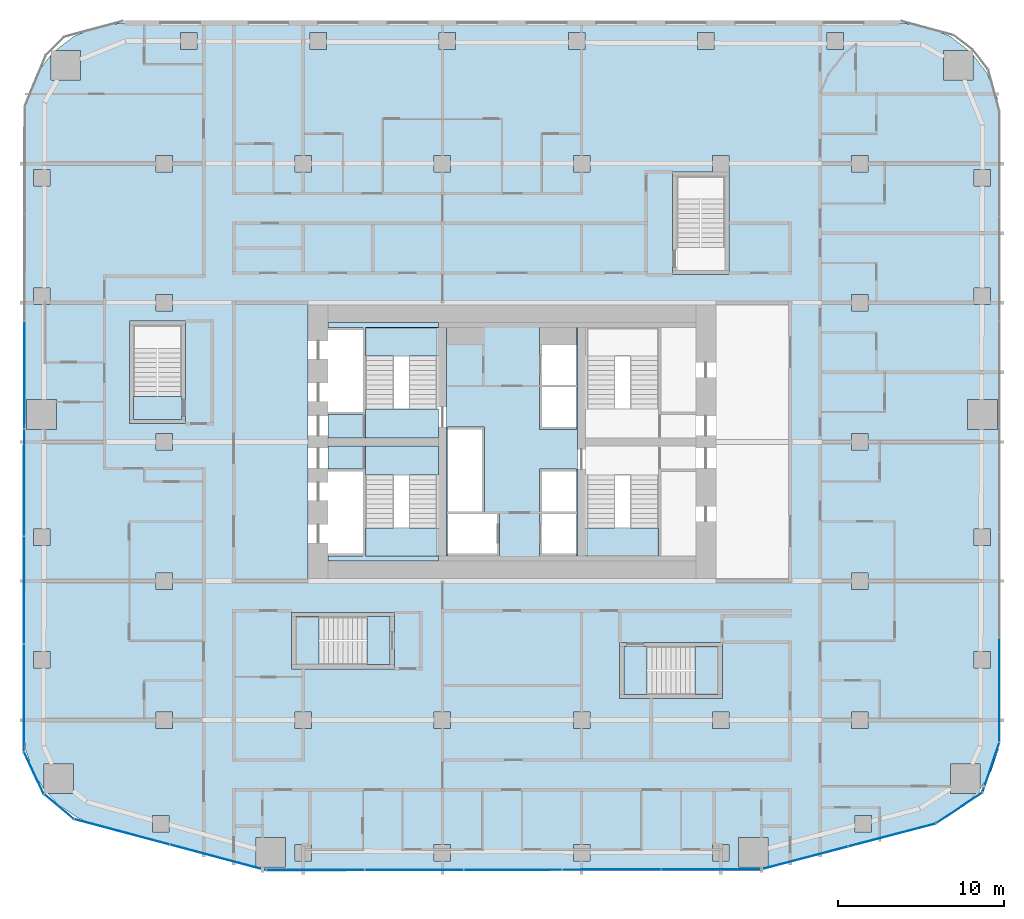
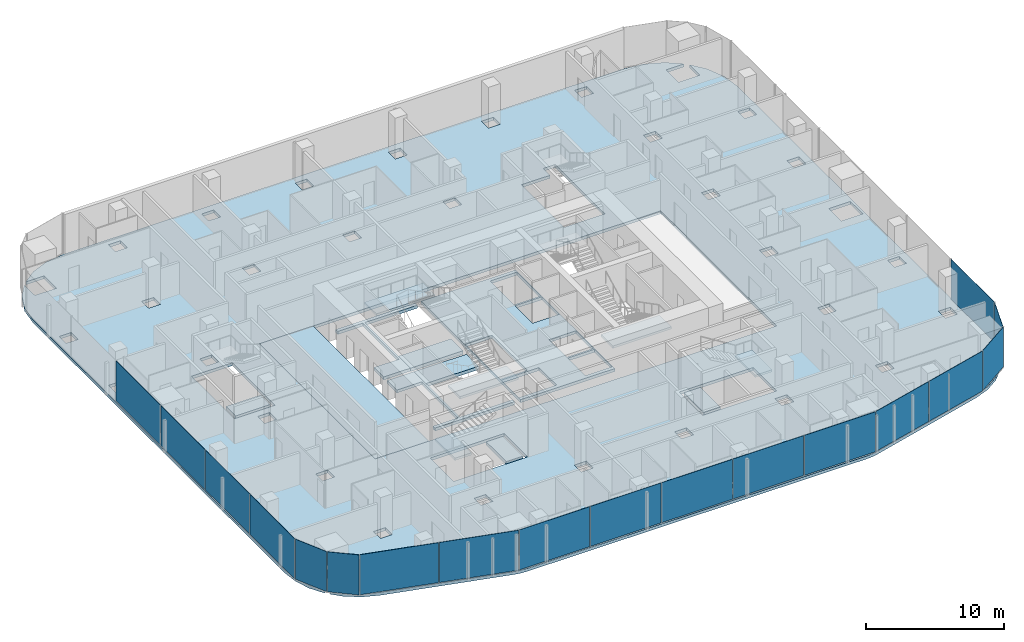
# One storey, part 14 of 25: 18 plates, 15 slabs, 14 elements without a shape of their own.
"""IFC4 building model written with IfcOpenShell, lengths in metres."""

from ifc_helpers import new_model, si_unit, direction, frame, origin, origin_2d, place, context, subcontext, project, spatial, polyline, rectangle, outline, extrude, material, layer, layer_set, type_object, element, aggregate, save


model = new_model("IFC4")

# Units and contexts
model_context = context("Model", 3, precision=1e-05, world=origin(), true_north=direction((0.0, 1.0)))
body_context = subcontext(model_context, "Body", "Model", "MODEL_VIEW")
ifc_project = project(units=[si_unit("LENGTHUNIT", "METRE"), si_unit("AREAUNIT", "SQUARE_METRE"), si_unit("VOLUMEUNIT", "CUBIC_METRE"), si_unit("PLANEANGLEUNIT", "RADIAN"), si_unit("MASSUNIT", "GRAM", prefix="KILO")], contexts=[model_context])

# Site, building, storey
site_placement = place(None, origin())
site = spatial("IfcSite", under=ifc_project, at=site_placement, CompositionType="ELEMENT")
building_placement = place(site_placement, origin())
building = spatial("IfcBuilding", under=site, at=building_placement, Name="Marenta Gate Hotel Tower", CompositionType="ELEMENT")
storey_placement = place(building_placement, frame((0.0, 0.0, 50.89990234375)))
storey = spatial("IfcBuildingStorey", under=building, at=storey_placement, Name="L10", CompositionType="ELEMENT", Elevation=50.89990234375)

# Slabs
ifc_material_1 = material(Name="Concrete C35", Category="concrete")
ifc_layer_1 = layer(ifc_material_1, 0.260009765625)
ifc_layer_set_1 = layer_set([ifc_layer_1], Name="Concrete C35")
slab_type_1 = type_object("IfcSlabType", Name="Concrete floor slab 260", PredefinedType="FLOOR", material=ifc_layer_set_1)
slab_1_placement = place(storey_placement, frame((0.0, 0.0, -0.260009765625)))
element("IfcSlab", 1, at=slab_1_placement, inside=storey, type_object=slab_type_1, Name="L10-SL-1", PredefinedType="FLOOR", context=body_context, shape_type="SweptSolid", body=[
    extrude(outline(polyline([(-27.313720703125, -13.56396484375), (-28.015625, -12.8330078125), (-26.462890625, -12.8330078125), (-26.462890625, -11.032958984375), (-28.262939453125, -11.032958984375), (-28.262939453125, -12.55859375), (-28.927001953125, -11.467041015625), (-29.35546875, -10.20703125), (-29.5, -8.889892578125), (-29.5, 27.6064453125), (-29.29296875, 29.178955078125), (-28.68359375, 30.650390625), (-27.83544921875, 31.755615234375), (-27.83544921875, 30.235595703125), (-26.035400390625, 30.235595703125), (-26.035400390625, 32.035400390625), (-27.555419921875, 32.035400390625), (-26.450439453125, 32.883544921875), (-24.97900390625, 33.492919921875), (-23.406494140625, 33.699951171875), (23.406494140625, 33.699951171875), (24.97900390625, 33.492919921875), (26.450439453125, 32.883544921875), (27.555419921875, 32.035400390625), (26.035400390625, 32.035400390625), (26.035400390625, 30.235595703125), (27.83544921875, 30.235595703125), (27.83544921875, 31.755615234375), (28.68359375, 30.650390625), (29.29296875, 29.178955078125), (29.5, 27.6064453125), (29.5, -8.889892578125), (29.35546875, -10.20703125), (28.927001953125, -11.467041015625), (28.262939453125, -12.55859375), (28.262939453125, -11.032958984375), (26.462890625, -11.032958984375), (26.462890625, -12.8330078125), (28.015625, -12.8330078125), (27.313720703125, -13.56396484375), (26.205810546875, -14.30126953125), (24.969482421875, -14.77880859375), (15.2265625, -17.36376953125), (14.70849609375, -17.4658203125), (14.181640625, -17.5), (-14.181640625, -17.5), (-14.70849609375, -17.4658203125), (-15.2265625, -17.36376953125), (-24.969482421875, -14.77880859375), (-26.205810546875, -14.30126953125), (-27.313720703125, -13.56396484375)]), holes=[polyline([(-16.800048828125, 0.0), (16.800048828125, 0.0), (16.800048828125, 16.800048828125), (-16.800048828125, 16.800048828125), (-16.800048828125, 0.0)]), polyline([(-13.666259765625, -15.474853515625), (-15.46630859375, -15.474853515625), (-15.46630859375, -17.27490234375), (-13.666259765625, -17.27490234375), (-13.666259765625, -15.474853515625)]), polyline([(-20.706787109375, -14.13916015625), (-21.706787109375, -14.13916015625), (-21.706787109375, -15.13916015625), (-20.706787109375, -15.13916015625), (-20.706787109375, -14.13916015625)]), polyline([(-20.5, -8.89990234375), (-20.5, -7.89990234375), (-21.5, -7.89990234375), (-21.5, -8.89990234375), (-20.5, -8.89990234375)]), polyline([(-12.10009765625, -8.89990234375), (-12.10009765625, -7.89990234375), (-13.10009765625, -7.89990234375), (-13.10009765625, -8.89990234375), (-12.10009765625, -8.89990234375)]), polyline([(-27.89990234375, -4.251953125), (-28.89990234375, -4.251953125), (-28.89990234375, -5.251953125), (-27.89990234375, -5.251953125), (-27.89990234375, -4.251953125)]), polyline([(-20.5, -0.5), (-20.5, 0.5), (-21.5, 0.5), (-21.5, -0.5), (-20.5, -0.5)]), polyline([(-27.89990234375, 2.149169921875), (-27.89990234375, 3.149169921875), (-28.89990234375, 3.149169921875), (-28.89990234375, 2.149169921875), (-27.89990234375, 2.149169921875)]), polyline([(-20.5, 8.89990234375), (-21.5, 8.89990234375), (-21.5, 7.89990234375), (-20.5, 7.89990234375), (-20.5, 8.89990234375)]), polyline([(-27.5, 9.14990234375), (-27.5, 10.949951171875), (-29.300048828125, 10.949951171875), (-29.300048828125, 9.14990234375), (-27.5, 9.14990234375)]), polyline([(-20.5, 16.300048828125), (-20.5, 17.300048828125), (-21.5, 17.300048828125), (-21.5, 16.300048828125), (-20.5, 16.300048828125)]), polyline([(-27.89990234375, 17.703125), (-28.89990234375, 17.703125), (-28.89990234375, 16.703125), (-27.89990234375, 16.703125), (-27.89990234375, 17.703125)]), polyline([(-27.89990234375, 23.8564453125), (-27.89990234375, 24.8564453125), (-28.89990234375, 24.8564453125), (-28.89990234375, 23.8564453125), (-27.89990234375, 23.8564453125)]), polyline([(-20.5, 24.699951171875), (-20.5, 25.699951171875), (-21.5, 25.699951171875), (-21.5, 24.699951171875), (-20.5, 24.699951171875)]), polyline([(-19.0068359375, 32.10009765625), (-19.0068359375, 33.10009765625), (-20.0068359375, 33.10009765625), (-20.0068359375, 32.10009765625), (-19.0068359375, 32.10009765625)]), polyline([(-12.10009765625, -16.89990234375), (-12.10009765625, -15.89990234375), (-13.10009765625, -15.89990234375), (-13.10009765625, -16.89990234375), (-12.10009765625, -16.89990234375)]), polyline([(-3.699951171875, -15.89990234375), (-4.699951171875, -15.89990234375), (-4.699951171875, -16.89990234375), (-3.699951171875, -16.89990234375), (-3.699951171875, -15.89990234375)]), polyline([(4.699951171875, -16.89990234375), (4.699951171875, -15.89990234375), (3.699951171875, -15.89990234375), (3.699951171875, -16.89990234375), (4.699951171875, -16.89990234375)]), polyline([(13.10009765625, -16.89990234375), (13.10009765625, -15.89990234375), (12.10009765625, -15.89990234375), (12.10009765625, -16.89990234375), (13.10009765625, -16.89990234375)]), polyline([(15.46630859375, -15.474853515625), (13.666259765625, -15.474853515625), (13.666259765625, -17.27490234375), (15.46630859375, -17.27490234375), (15.46630859375, -15.474853515625)]), polyline([(-3.699951171875, -8.89990234375), (-3.699951171875, -7.89990234375), (-4.699951171875, -7.89990234375), (-4.699951171875, -8.89990234375), (-3.699951171875, -8.89990234375)]), polyline([(4.699951171875, -8.89990234375), (4.699951171875, -7.89990234375), (3.699951171875, -7.89990234375), (3.699951171875, -8.89990234375), (4.699951171875, -8.89990234375)]), polyline([(13.10009765625, -7.89990234375), (12.10009765625, -7.89990234375), (12.10009765625, -8.89990234375), (13.10009765625, -8.89990234375), (13.10009765625, -7.89990234375)]), polyline([(-12.10009765625, 25.699951171875), (-13.10009765625, 25.699951171875), (-13.10009765625, 24.699951171875), (-12.10009765625, 24.699951171875), (-12.10009765625, 25.699951171875)]), polyline([(-3.699951171875, 25.699951171875), (-4.699951171875, 25.699951171875), (-4.699951171875, 24.699951171875), (-3.699951171875, 24.699951171875), (-3.699951171875, 25.699951171875)]), polyline([(4.699951171875, 24.699951171875), (4.699951171875, 25.699951171875), (3.699951171875, 25.699951171875), (3.699951171875, 24.699951171875), (4.699951171875, 24.699951171875)]), polyline([(13.10009765625, 25.699951171875), (12.10009765625, 25.699951171875), (12.10009765625, 24.699951171875), (9.699951171875, 24.699951171875), (9.699951171875, 18.5), (13.10009765625, 18.5), (13.10009765625, 25.699951171875)]), polyline([(-11.2041015625, 33.10009765625), (-12.2041015625, 33.10009765625), (-12.2041015625, 32.10009765625), (-11.2041015625, 32.10009765625), (-11.2041015625, 33.10009765625)]), polyline([(-3.4013671875, 32.10009765625), (-3.4013671875, 33.10009765625), (-4.4013671875, 33.10009765625), (-4.4013671875, 32.10009765625), (-3.4013671875, 32.10009765625)]), polyline([(4.4013671875, 32.10009765625), (4.4013671875, 33.10009765625), (3.4013671875, 33.10009765625), (3.4013671875, 32.10009765625), (4.4013671875, 32.10009765625)]), polyline([(12.2041015625, 33.10009765625), (11.2041015625, 33.10009765625), (11.2041015625, 32.10009765625), (12.2041015625, 32.10009765625), (12.2041015625, 33.10009765625)]), polyline([(21.706787109375, -15.13916015625), (21.706787109375, -14.13916015625), (20.706787109375, -14.13916015625), (20.706787109375, -15.13916015625), (21.706787109375, -15.13916015625)]), polyline([(21.5, -7.89990234375), (20.5, -7.89990234375), (20.5, -8.89990234375), (21.5, -8.89990234375), (21.5, -7.89990234375)]), polyline([(28.89990234375, -5.251953125), (28.89990234375, -4.251953125), (27.89990234375, -4.251953125), (27.89990234375, -5.251953125), (28.89990234375, -5.251953125)]), polyline([(21.5, -0.5), (21.5, 0.5), (20.5, 0.5), (20.5, -0.5), (21.5, -0.5)]), polyline([(28.89990234375, 3.149169921875), (27.89990234375, 3.149169921875), (27.89990234375, 2.149169921875), (28.89990234375, 2.149169921875), (28.89990234375, 3.149169921875)]), polyline([(21.5, 7.89990234375), (21.5, 8.89990234375), (20.5, 8.89990234375), (20.5, 7.89990234375), (21.5, 7.89990234375)]), polyline([(29.300048828125, 9.14990234375), (29.300048828125, 10.949951171875), (27.5, 10.949951171875), (27.5, 9.14990234375), (29.300048828125, 9.14990234375)]), polyline([(21.5, 17.300048828125), (20.5, 17.300048828125), (20.5, 16.300048828125), (21.5, 16.300048828125), (21.5, 17.300048828125)]), polyline([(28.89990234375, 16.703125), (28.89990234375, 17.703125), (27.89990234375, 17.703125), (27.89990234375, 16.703125), (28.89990234375, 16.703125)]), polyline([(28.89990234375, 23.8564453125), (28.89990234375, 24.8564453125), (27.89990234375, 24.8564453125), (27.89990234375, 23.8564453125), (28.89990234375, 23.8564453125)]), polyline([(21.5, 25.699951171875), (20.5, 25.699951171875), (20.5, 24.699951171875), (21.5, 24.699951171875), (21.5, 25.699951171875)]), polyline([(20.0068359375, 32.10009765625), (20.0068359375, 33.10009765625), (19.0068359375, 33.10009765625), (19.0068359375, 32.10009765625), (20.0068359375, 32.10009765625)]), polyline([(6.5, -7.10009765625), (12.699951171875, -7.10009765625), (12.699951171875, -3.699951171875), (6.5, -3.699951171875), (6.5, -7.10009765625)]), polyline([(-13.300048828125, -5.300048828125), (-7.10009765625, -5.300048828125), (-7.10009765625, -1.89990234375), (-13.300048828125, -1.89990234375), (-13.300048828125, -5.300048828125)]), polyline([(-23.10009765625, 9.5), (-19.699951171875, 9.5), (-19.699951171875, 15.699951171875), (-23.10009765625, 15.699951171875), (-23.10009765625, 9.5)])]), origin(), (0.0, 0.0, 1.0), 0.260009765625),
])
ifc_material_2 = material(Name="Concrete C40", Category="concrete")
ifc_layer_2 = layer(ifc_material_2, 0.260009765625)
ifc_layer_set_2 = layer_set([ifc_layer_2], Name="Concrete C40")
slab_type_2 = type_object("IfcSlabType", Name="Core floor slab 260", PredefinedType="FLOOR", material=ifc_layer_set_2)
slab_2_placement = place(storey_placement, frame((0.0, 0.0, -0.260009765625)))
element("IfcSlab", 2, at=slab_2_placement, inside=storey, type_object=slab_type_2, Name="L10-CF-4", PredefinedType="FLOOR", context=body_context, shape_type="SweptSolid", body=[
    extrude(outline(polyline([(3.949951171875, 15.300048828125), (3.949951171875, 10.39990234375), (3.949951171875, 6.39990234375), (3.949951171875, 1.5), (3.949951171875, 1.199951171875), (-3.949951171875, 1.199951171875), (-3.949951171875, 1.5), (-3.949951171875, 6.39990234375), (-3.949951171875, 10.39990234375), (-3.949951171875, 15.300048828125), (-3.949951171875, 15.60009765625), (3.949951171875, 15.60009765625), (3.949951171875, 15.300048828125)]), holes=[polyline([(1.64990234375, 4.050048828125), (1.64990234375, 1.64990234375), (1.64990234375, 1.5), (3.89990234375, 1.5), (3.89990234375, 1.64990234375), (3.89990234375, 4.050048828125), (1.800048828125, 4.050048828125), (1.64990234375, 4.050048828125)]), polyline([(1.64990234375, 9.14990234375), (3.89990234375, 9.14990234375), (3.89990234375, 9.300048828125), (3.89990234375, 11.699951171875), (1.800048828125, 11.699951171875), (1.64990234375, 11.699951171875), (1.64990234375, 9.300048828125), (1.64990234375, 9.14990234375)]), polyline([(1.64990234375, 11.85009765625), (1.800048828125, 11.85009765625), (3.89990234375, 11.85009765625), (3.89990234375, 14.25), (3.89990234375, 15.300048828125), (1.64990234375, 15.300048828125), (1.64990234375, 14.25), (1.64990234375, 11.85009765625)]), polyline([(3.89990234375, 6.60009765625), (3.89990234375, 6.75), (1.64990234375, 6.75), (1.64990234375, 6.60009765625), (1.64990234375, 4.199951171875), (1.800048828125, 4.199951171875), (3.89990234375, 4.199951171875), (3.89990234375, 6.60009765625)]), polyline([(-3.89990234375, 1.5), (-0.89990234375, 1.5), (-0.75, 1.5), (-0.75, 4.050048828125), (-0.89990234375, 4.050048828125), (-3.89990234375, 4.050048828125), (-3.89990234375, 1.64990234375), (-3.89990234375, 1.5)]), polyline([(-1.64990234375, 4.199951171875), (-1.64990234375, 9.14990234375), (-1.64990234375, 9.300048828125), (-3.89990234375, 9.300048828125), (-3.89990234375, 9.14990234375), (-3.89990234375, 6.75), (-3.89990234375, 6.60009765625), (-3.89990234375, 4.199951171875), (-1.800048828125, 4.199951171875), (-1.64990234375, 4.199951171875)])]), origin(), (0.0, 0.0, 1.0), 0.260009765625),
])
slab_3_placement = place(storey_placement, frame((0.0, 0.0, -0.260009765625)))
element("IfcSlab", 3, at=slab_3_placement, inside=storey, type_object=slab_type_2, Name="L10-CF-5", PredefinedType="FLOOR", context=body_context, shape_type="SweptSolid", body=[
    extrude(outline(polyline([(-9.0, 1.5), (-9.0, 1.64990234375), (-9.0, 4.050048828125), (-9.0, 4.199951171875), (-9.0, 6.60009765625), (-9.0, 6.75), (-11.10009765625, 6.75), (-11.10009765625, 8.14990234375), (-8.85009765625, 8.14990234375), (-8.85009765625, 8.10009765625), (-8.85009765625, 6.39990234375), (-8.85009765625, 1.5), (-4.449951171875, 1.5), (-4.449951171875, 1.199951171875), (-11.10009765625, 1.199951171875), (-11.10009765625, 1.5), (-9.0, 1.5)])), origin(), (0.0, 0.0, 1.0), 0.260009765625),
])
slab_4_placement = place(storey_placement, frame((0.0, 0.0, -0.260009765625)))
element("IfcSlab", 4, at=slab_4_placement, inside=storey, type_object=slab_type_2, Name="L10-CF-6", PredefinedType="FLOOR", context=body_context, shape_type="SweptSolid", body=[
    extrude(outline(polyline([(-4.449951171875, 15.300048828125), (-8.85009765625, 15.300048828125), (-8.85009765625, 10.39990234375), (-8.85009765625, 8.699951171875), (-8.85009765625, 8.64990234375), (-11.10009765625, 8.64990234375), (-11.10009765625, 10.050048828125), (-9.0, 10.050048828125), (-9.0, 10.199951171875), (-9.0, 12.60009765625), (-9.0, 12.75), (-9.0, 15.14990234375), (-9.0, 15.300048828125), (-11.10009765625, 15.300048828125), (-11.10009765625, 15.60009765625), (-4.449951171875, 15.60009765625), (-4.449951171875, 15.300048828125)])), origin(), (0.0, 0.0, 1.0), 0.260009765625),
])
slab_5_placement = place(storey_placement, frame((0.0, 0.0, -0.260009765625)))
element("IfcSlab", 5, at=slab_5_placement, inside=storey, type_object=slab_type_2, Name="L10-CF-7", PredefinedType="FLOOR", context=body_context, shape_type="SweptSolid", body=[
    extrude(outline(polyline([(-12.300048828125, 16.800048828125), (-12.300048828125, 0.0), (-16.800048828125, 0.0), (-16.800048828125, 16.800048828125), (-12.300048828125, 16.800048828125)])), origin(), (0.0, 0.0, 1.0), 0.260009765625),
])

# Stair, slab
ifc_material_3 = material(Name="Concrete C40", Category="concrete")
stair_type_1 = type_object("IfcStairType", Name="Core exit stair 1700 wide", PredefinedType="HALF_TURN_STAIR", material=ifc_material_3)
stair_1_placement = place(storey_placement, origin())
stair_1 = element("IfcStair", 6, at=stair_1_placement, inside=storey, type_object=stair_type_1, Name="Exit stair 1", PredefinedType="HALF_TURN_STAIR")
ifc_material_4 = material(Name="Concrete C40", Category="concrete")
ifc_layer_3 = layer(ifc_material_4, 0.199951171875)
ifc_layer_set_3 = layer_set([ifc_layer_3], Name="Concrete C40")
slab_type_3 = type_object("IfcSlabType", Name="Core stair landing 200", PredefinedType="LANDING", material=ifc_layer_set_3)
slab_6_placement = place(storey_placement, frame((0.0, 0.0, 1.60009765625)))
slab_6 = element("IfcSlab", 7, at=slab_6_placement, type_object=slab_type_3, Name="SL-200 ST1 landing 1", PredefinedType="LANDING", context=body_context, shape_type="SweptSolid", body=[
    extrude(outline(polyline([(-8.85009765625, 1.5), (-3.949951171875, 1.5), (-3.949951171875, 3.2099609375), (-8.85009765625, 3.2099609375), (-8.85009765625, 1.5)])), origin(), (0.0, 0.0, 1.0), 0.199951171875),
])
aggregate(stair_1, [slab_6])

stair_2_placement = place(storey_placement, origin())
stair_2 = element("IfcStair", 8, at=stair_2_placement, inside=storey, type_object=stair_type_1, Name="Exit stair 2", PredefinedType="HALF_TURN_STAIR")
slab_7_placement = place(storey_placement, frame((0.0, 0.0, 1.60009765625)))
slab_7 = element("IfcSlab", 9, at=slab_7_placement, type_object=slab_type_3, Name="SL-200 ST2 landing 1", PredefinedType="LANDING", context=body_context, shape_type="SweptSolid", body=[
    extrude(outline(polyline([(-8.85009765625, 13.590087890625), (-3.949951171875, 13.590087890625), (-3.949951171875, 15.300048828125), (-8.85009765625, 15.300048828125), (-8.85009765625, 13.590087890625)])), origin(), (0.0, 0.0, 1.0), 0.199951171875),
])
aggregate(stair_2, [slab_7])

stair_3_placement = place(storey_placement, origin())
stair_3 = element("IfcStair", 10, at=stair_3_placement, inside=storey, type_object=stair_type_1, Name="Exit stair 3", PredefinedType="HALF_TURN_STAIR")
slab_8_placement = place(storey_placement, frame((0.0, 0.0, 1.60009765625)))
slab_8 = element("IfcSlab", 11, at=slab_8_placement, type_object=slab_type_3, Name="SL-200 ST3 landing 1", PredefinedType="LANDING", context=body_context, shape_type="SweptSolid", body=[
    extrude(outline(polyline([(3.949951171875, 1.5), (8.85009765625, 1.5), (8.85009765625, 3.2099609375), (3.949951171875, 3.2099609375), (3.949951171875, 1.5)])), origin(), (0.0, 0.0, 1.0), 0.199951171875),
])
aggregate(stair_3, [slab_8])

# Curtain wall, plates
ifc_material_5 = material(Name="Tinted insulated glass in bronze anodised frame", Category="glass")
ifc_layer_4 = layer(ifc_material_5, 0.1201171875)
ifc_layer_set_4 = layer_set([ifc_layer_4], Name="Tinted insulated glass in bronze anodised frame")
curtain_wall_type = type_object("IfcCurtainWallType", Name="Tower unitised curtain wall CW1", PredefinedType="NOTDEFINED", material=ifc_layer_set_4)
curtain_wall_1_placement = place(storey_placement, origin())
curtain_wall_1 = element("IfcCurtainWall", 12, at=curtain_wall_1_placement, inside=storey, type_object=curtain_wall_type, Name="CW1 run G03", PredefinedType="NOTDEFINED")
ifc_material_6 = material(Name="Tinted insulated glass", Category="glass")
ifc_layer_5 = layer(ifc_material_6, 0.028076171875)
ifc_layer_set_5 = layer_set([ifc_layer_5], Name="Tinted insulated glass")
plate_type = type_object("IfcPlateType", Name="Glass panel CW1 28 mm tinted insulated unit", PredefinedType="CURTAIN_PANEL", material=ifc_layer_set_5)
plate_1_placement = place(storey_placement, frame((-29.437744140625, 12.440185546875, 0.06005859375), z_axis=(0.0, 0.0, 1.0), x_axis=(-0.00156642217, -0.99999877316, 0.0)))
plate_1 = element("IfcPlate", 13, at=plate_1_placement, type_object=plate_type, Name="CW1 panel 3.1", PredefinedType="CURTAIN_PANEL", context=body_context, shape_type="SweptSolid", body=[
    extrude(rectangle(XDim=6.430419921875, YDim=0.028076171875, at=origin_2d()), origin(), (0.0, 0.0, 1.0), 3.5400390625),
])
plate_2_placement = place(storey_placement, frame((-29.447998046875, 5.949951171875, 0.06005859375), z_axis=(0.0, 0.0, 1.0), x_axis=(-0.00156642217, -0.99999877316, 0.0)))
plate_2 = element("IfcPlate", 14, at=plate_2_placement, type_object=plate_type, Name="CW1 panel 4.1", PredefinedType="CURTAIN_PANEL", context=body_context, shape_type="SweptSolid", body=[
    extrude(rectangle(XDim=6.430419921875, YDim=0.028076171875, at=origin_2d()), origin(), (0.0, 0.0, 1.0), 3.5400390625),
])
plate_3_placement = place(storey_placement, frame((-29.4580078125, -0.54052734375, 0.06005859375), z_axis=(0.0, 0.0, 1.0), x_axis=(-0.00156642217, -0.99999877316, 0.0)))
plate_3 = element("IfcPlate", 15, at=plate_3_placement, type_object=plate_type, Name="CW1 panel 5.1", PredefinedType="CURTAIN_PANEL", context=body_context, shape_type="SweptSolid", body=[
    extrude(rectangle(XDim=6.430419921875, YDim=0.028076171875, at=origin_2d()), origin(), (0.0, 0.0, 1.0), 3.5400390625),
])
plate_4_placement = place(storey_placement, frame((-29.46826171875, -7.0458984375, 0.06005859375), z_axis=(0.0, 0.0, 1.0), x_axis=(-0.00156642217, -0.99999877316, 0.0)))
plate_4 = element("IfcPlate", 16, at=plate_4_placement, type_object=plate_type, Name="CW1 panel 6.1", PredefinedType="CURTAIN_PANEL", context=body_context, shape_type="SweptSolid", body=[
    extrude(rectangle(XDim=6.46044921875, YDim=0.028076171875, at=origin_2d()), origin(), (0.0, 0.0, 1.0), 3.5400390625),
])
aggregate(curtain_wall_1, [plate_1, plate_2, plate_3, plate_4])

# Curtain wall, plate
curtain_wall_2_placement = place(storey_placement, origin())
curtain_wall_2 = element("IfcCurtainWall", 17, at=curtain_wall_2_placement, inside=storey, type_object=curtain_wall_type, Name="CW1 run G04", PredefinedType="NOTDEFINED")
plate_5_placement = place(storey_placement, frame((-28.861083984375, -11.5859375, 0.06005859375), z_axis=(0.0, 0.0, 1.0), x_axis=(0.423341617441, -0.905970129167, 0.0)))
plate_5 = element("IfcPlate", 18, at=plate_5_placement, type_object=plate_type, Name="CW1 panel 1.1", PredefinedType="CURTAIN_PANEL", context=body_context, shape_type="SweptSolid", body=[
    extrude(rectangle(XDim=2.77197265625, YDim=0.028076171875, at=origin_2d()), origin(), (0.0, 0.0, 1.0), 3.5400390625),
])
aggregate(curtain_wall_2, [plate_5])

curtain_wall_3_placement = place(storey_placement, origin())
curtain_wall_3 = element("IfcCurtainWall", 19, at=curtain_wall_3_placement, inside=storey, type_object=curtain_wall_type, Name="CW1 run G05", PredefinedType="NOTDEFINED")
plate_6_placement = place(storey_placement, frame((-27.33984375, -13.623291015625, 0.06005859375), z_axis=(0.0, 0.0, 1.0), x_axis=(0.767113012445, -0.641511984407, 0.0)))
plate_6 = element("IfcPlate", 20, at=plate_6_placement, type_object=plate_type, Name="CW1 panel 1.1", PredefinedType="CURTAIN_PANEL", context=body_context, shape_type="SweptSolid", body=[
    extrude(rectangle(XDim=2.316650390625, YDim=0.028076171875, at=origin_2d()), origin(), (0.0, 0.0, 1.0), 3.5400390625),
])
aggregate(curtain_wall_3, [plate_6])

# Curtain wall, plates
curtain_wall_4_placement = place(storey_placement, origin())
curtain_wall_4 = element("IfcCurtainWall", 21, at=curtain_wall_4_placement, inside=storey, type_object=curtain_wall_type, Name="CW1 run G06", PredefinedType="NOTDEFINED")
plate_7_placement = place(storey_placement, frame((-23.541748046875, -15.140625, 0.06005859375), z_axis=(0.0, 0.0, 1.0), x_axis=(0.966373715782, -0.257141675823, 0.0)))
plate_7 = element("IfcPlate", 22, at=plate_7_placement, type_object=plate_type, Name="CW1 panel 1.1", PredefinedType="CURTAIN_PANEL", context=body_context, shape_type="SweptSolid", body=[
    extrude(rectangle(XDim=5.90185546875, YDim=0.028076171875, at=origin_2d()), origin(), (0.0, 0.0, 1.0), 3.5400390625),
])
plate_8_placement = place(storey_placement, frame((-17.751220703125, -16.681396484375, 0.06005859375), z_axis=(0.0, 0.0, 1.0), x_axis=(0.966373715782, -0.257141675823, 0.0)))
plate_8 = element("IfcPlate", 23, at=plate_8_placement, type_object=plate_type, Name="CW1 panel 2.1", PredefinedType="CURTAIN_PANEL", context=body_context, shape_type="SweptSolid", body=[
    extrude(rectangle(XDim=5.9619140625, YDim=0.028076171875, at=origin_2d()), origin(), (0.0, 0.0, 1.0), 3.5400390625),
])
aggregate(curtain_wall_4, [plate_7, plate_8])

curtain_wall_5_placement = place(storey_placement, origin())
curtain_wall_5 = element("IfcCurtainWall", 24, at=curtain_wall_5_placement, inside=storey, type_object=curtain_wall_type, Name="CW1 run G07", PredefinedType="NOTDEFINED")
plate_9_placement = place(storey_placement, frame((-11.869140625, -17.4443359375, 0.06005859375), z_axis=(0.0, 0.0, 1.0), x_axis=(0.999999324969, 0.001161921639, 0.0)))
plate_9 = element("IfcPlate", 25, at=plate_9_placement, type_object=plate_type, Name="CW1 panel 1.1", PredefinedType="CURTAIN_PANEL", context=body_context, shape_type="SweptSolid", body=[
    extrude(rectangle(XDim=5.8828125, YDim=0.028076171875, at=origin_2d()), origin(), (0.0, 0.0, 1.0), 3.5400390625),
])
plate_10_placement = place(storey_placement, frame((-5.911376953125, -17.4375, 0.06005859375), z_axis=(0.0, 0.0, 1.0), x_axis=(0.999999324969, 0.001161921639, 0.0)))
plate_10 = element("IfcPlate", 26, at=plate_10_placement, type_object=plate_type, Name="CW1 panel 2.1", PredefinedType="CURTAIN_PANEL", context=body_context, shape_type="SweptSolid", body=[
    extrude(rectangle(XDim=5.912841796875, YDim=0.028076171875, at=origin_2d()), origin(), (0.0, 0.0, 1.0), 3.5400390625),
])
plate_11_placement = place(storey_placement, frame((0.0615234375, -17.430419921875, 0.06005859375), z_axis=(0.0, 0.0, 1.0), x_axis=(0.999999324969, 0.001161921639, 0.0)))
plate_11 = element("IfcPlate", 27, at=plate_11_placement, type_object=plate_type, Name="CW1 panel 3.1", PredefinedType="CURTAIN_PANEL", context=body_context, shape_type="SweptSolid", body=[
    extrude(rectangle(XDim=5.912841796875, YDim=0.028076171875, at=origin_2d()), origin(), (0.0, 0.0, 1.0), 3.5400390625),
])
plate_12_placement = place(storey_placement, frame((6.034423828125, -17.423583984375, 0.06005859375), z_axis=(0.0, 0.0, 1.0), x_axis=(0.999999324969, 0.001161921639, 0.0)))
plate_12 = element("IfcPlate", 28, at=plate_12_placement, type_object=plate_type, Name="CW1 panel 4.1", PredefinedType="CURTAIN_PANEL", context=body_context, shape_type="SweptSolid", body=[
    extrude(rectangle(XDim=5.912841796875, YDim=0.028076171875, at=origin_2d()), origin(), (0.0, 0.0, 1.0), 3.5400390625),
])
plate_13_placement = place(storey_placement, frame((12.022216796875, -17.41650390625, 0.06005859375), z_axis=(0.0, 0.0, 1.0), x_axis=(0.999999324969, 0.001161921639, 0.0)))
plate_13 = element("IfcPlate", 29, at=plate_13_placement, type_object=plate_type, Name="CW1 panel 5.1", PredefinedType="CURTAIN_PANEL", context=body_context, shape_type="SweptSolid", body=[
    extrude(rectangle(XDim=5.94287109375, YDim=0.028076171875, at=origin_2d()), origin(), (0.0, 0.0, 1.0), 3.5400390625),
])
aggregate(curtain_wall_5, [plate_9, plate_10, plate_11, plate_12, plate_13])

curtain_wall_6_placement = place(storey_placement, origin())
curtain_wall_6 = element("IfcCurtainWall", 30, at=curtain_wall_6_placement, inside=storey, type_object=curtain_wall_type, Name="CW1 run G08", PredefinedType="NOTDEFINED")
plate_14_placement = place(storey_placement, frame((17.651611328125, -16.717041015625, 0.06005859375), z_axis=(0.0, 0.0, 1.0), x_axis=(0.967368966674, 0.25337182621, 0.0)))
plate_14 = element("IfcPlate", 31, at=plate_14_placement, type_object=plate_type, Name="CW1 panel 1.1", PredefinedType="CURTAIN_PANEL", context=body_context, shape_type="SweptSolid", body=[
    extrude(rectangle(XDim=5.375244140625, YDim=0.028076171875, at=origin_2d()), origin(), (0.0, 0.0, 1.0), 3.5400390625),
])
plate_15_placement = place(storey_placement, frame((22.938720703125, -15.332275390625, 0.06005859375), z_axis=(0.0, 0.0, 1.0), x_axis=(0.967368966674, 0.25337182621, 0.0)))
plate_15 = element("IfcPlate", 32, at=plate_15_placement, type_object=plate_type, Name="CW1 panel 2.1", PredefinedType="CURTAIN_PANEL", context=body_context, shape_type="SweptSolid", body=[
    extrude(rectangle(XDim=5.435302734375, YDim=0.028076171875, at=origin_2d()), origin(), (0.0, 0.0, 1.0), 3.5400390625),
])
aggregate(curtain_wall_6, [plate_14, plate_15])

# Curtain wall, plate
curtain_wall_7_placement = place(storey_placement, origin())
curtain_wall_7 = element("IfcCurtainWall", 33, at=curtain_wall_7_placement, inside=storey, type_object=curtain_wall_type, Name="CW1 run G09", PredefinedType="NOTDEFINED")
plate_16_placement = place(storey_placement, frame((27.006591796875, -13.685791015625, 0.06005859375), z_axis=(0.0, 0.0, 1.0), x_axis=(0.832493824282, 0.554034324326, 0.0)))
plate_16 = element("IfcPlate", 34, at=plate_16_placement, type_object=plate_type, Name="CW1 panel 1.1", PredefinedType="CURTAIN_PANEL", context=body_context, shape_type="SweptSolid", body=[
    extrude(rectangle(XDim=3.33740234375, YDim=0.028076171875, at=origin_2d()), origin(), (0.0, 0.0, 1.0), 3.5400390625),
])
aggregate(curtain_wall_7, [plate_16])

curtain_wall_8_placement = place(storey_placement, origin())
curtain_wall_8 = element("IfcCurtainWall", 35, at=curtain_wall_8_placement, inside=storey, type_object=curtain_wall_type, Name="CW1 run G10", PredefinedType="NOTDEFINED")
plate_17_placement = place(storey_placement, frame((28.91455078125, -11.236328125, 0.06005859375), z_axis=(0.0, 0.0, 1.0), x_axis=(0.322028604337, 0.946729939312, 0.0)))
plate_17 = element("IfcPlate", 36, at=plate_17_placement, type_object=plate_type, Name="CW1 panel 1.1", PredefinedType="CURTAIN_PANEL", context=body_context, shape_type="SweptSolid", body=[
    extrude(rectangle(XDim=3.101806640625, YDim=0.028076171875, at=origin_2d()), origin(), (0.0, 0.0, 1.0), 3.5400390625),
])
aggregate(curtain_wall_8, [plate_17])

curtain_wall_9_placement = place(storey_placement, origin())
curtain_wall_9 = element("IfcCurtainWall", 37, at=curtain_wall_9_placement, inside=storey, type_object=curtain_wall_type, Name="CW1 run G11", PredefinedType="NOTDEFINED")
plate_18_placement = place(storey_placement, frame((29.4140625, -6.572998046875, 0.06005859375), z_axis=(0.0, 0.0, 1.0), x_axis=(0.0, 1.0, 0.0)))
plate_18 = element("IfcPlate", 38, at=plate_18_placement, type_object=plate_type, Name="CW1 panel 1.1", PredefinedType="CURTAIN_PANEL", context=body_context, shape_type="SweptSolid", body=[
    extrude(rectangle(XDim=6.27001953125, YDim=0.028076171875, at=origin_2d()), origin(), (0.0, 0.0, 1.0), 3.5400390625),
])
aggregate(curtain_wall_9, [plate_18])

# Stair, slab
ifc_material_7 = material(Name="Concrete C40", Category="concrete")
stair_type_2 = type_object("IfcStairType", Name="Remote exit stair 1400 wide", PredefinedType="HALF_TURN_STAIR", material=ifc_material_7)
stair_4_placement = place(storey_placement, origin())
stair_4 = element("IfcStair", 39, at=stair_4_placement, inside=storey, type_object=stair_type_2, Name="Exit stair RS-Z1-1", PredefinedType="HALF_TURN_STAIR")
ifc_material_8 = material(Name="Concrete C40", Category="concrete")
ifc_layer_6 = layer(ifc_material_8, 0.199951171875)
ifc_layer_set_6 = layer_set([ifc_layer_6], Name="Concrete C40")
slab_type_4 = type_object("IfcSlabType", Name="Remote stair landing 200", PredefinedType="LANDING", material=ifc_layer_set_6)
slab_9_placement = place(storey_placement, frame((0.0, 0.0, 1.60009765625)))
slab_9 = element("IfcSlab", 40, at=slab_9_placement, type_object=slab_type_4, Name="RL-200 RS-Z1-1 landing 1", PredefinedType="LANDING", context=body_context, shape_type="SweptSolid", body=[
    extrude(outline(polyline([(11.050048828125, -6.85009765625), (12.449951171875, -6.85009765625), (12.449951171875, -3.949951171875), (11.050048828125, -3.949951171875), (11.050048828125, -6.85009765625)])), origin(), (0.0, 0.0, 1.0), 0.199951171875),
])
aggregate(stair_4, [slab_9])

stair_5_placement = place(storey_placement, origin())
stair_5 = element("IfcStair", 41, at=stair_5_placement, inside=storey, type_object=stair_type_2, Name="Exit stair RS-Z1-2", PredefinedType="HALF_TURN_STAIR")
slab_10_placement = place(storey_placement, frame((0.0, 0.0, 1.60009765625)))
slab_10 = element("IfcSlab", 42, at=slab_10_placement, type_object=slab_type_4, Name="RL-200 RS-Z1-2 landing 1", PredefinedType="LANDING", context=body_context, shape_type="SweptSolid", body=[
    extrude(outline(polyline([(-13.050048828125, -5.050048828125), (-11.64990234375, -5.050048828125), (-11.64990234375, -2.14990234375), (-13.050048828125, -2.14990234375), (-13.050048828125, -5.050048828125)])), origin(), (0.0, 0.0, 1.0), 0.199951171875),
])
aggregate(stair_5, [slab_10])

# Slabs
ifc_material_9 = material(Name="Concrete C40", Category="concrete")
ifc_layer_7 = layer(ifc_material_9, 0.300048828125)
ifc_layer_set_7 = layer_set([ifc_layer_7], Name="Concrete C40")
slab_type_5 = type_object("IfcSlabType", Name="Stair floor landing slab 300", PredefinedType="FLOOR", material=ifc_layer_set_7)
slab_11_placement = place(storey_placement, frame((0.0, 0.0, -0.2998046875)))
element("IfcSlab", 43, at=slab_11_placement, inside=storey, type_object=slab_type_5, Name="L10-CL-ST1-1", PredefinedType="FLOOR", context=body_context, shape_type="SweptSolid", body=[
    extrude(outline(polyline([(-4.449951171875, 6.39990234375), (-8.85009765625, 6.39990234375), (-8.85009765625, 8.10009765625), (-8.85009765625, 8.14990234375), (-4.449951171875, 8.14990234375), (-4.449951171875, 6.39990234375)])), origin(), (0.0, 0.0, 1.0), 0.2998046875),
])
slab_12_placement = place(storey_placement, frame((0.0, 0.0, -0.2998046875)))
element("IfcSlab", 44, at=slab_12_placement, inside=storey, type_object=slab_type_5, Name="L10-CL-ST2-1", PredefinedType="FLOOR", context=body_context, shape_type="SweptSolid", body=[
    extrude(outline(polyline([(-4.449951171875, 8.64990234375), (-8.85009765625, 8.64990234375), (-8.85009765625, 8.699951171875), (-8.85009765625, 10.39990234375), (-4.449951171875, 10.39990234375), (-4.449951171875, 8.64990234375)])), origin(), (0.0, 0.0, 1.0), 0.2998046875),
])
slab_13_placement = place(storey_placement, frame((0.0, 0.0, -0.2998046875)))
element("IfcSlab", 45, at=slab_13_placement, inside=storey, type_object=slab_type_5, Name="L10-RS-Z1-1-CL", PredefinedType="FLOOR", context=body_context, shape_type="SweptSolid", body=[
    extrude(outline(polyline([(8.14990234375, -6.85009765625), (8.14990234375, -3.949951171875), (6.75, -3.949951171875), (6.75, -6.85009765625), (8.14990234375, -6.85009765625)])), origin(), (0.0, 0.0, 1.0), 0.2998046875),
])
slab_14_placement = place(storey_placement, frame((0.0, 0.0, -0.2998046875)))
element("IfcSlab", 46, at=slab_14_placement, inside=storey, type_object=slab_type_5, Name="L10-RS-Z1-2-CL", PredefinedType="FLOOR", context=body_context, shape_type="SweptSolid", body=[
    extrude(outline(polyline([(-7.35009765625, -5.050048828125), (-7.35009765625, -2.14990234375), (-8.75, -2.14990234375), (-8.75, -5.050048828125), (-7.35009765625, -5.050048828125)])), origin(), (0.0, 0.0, 1.0), 0.2998046875),
])
slab_15_placement = place(storey_placement, frame((0.0, 0.0, -0.2998046875)))
element("IfcSlab", 47, at=slab_15_placement, inside=storey, type_object=slab_type_5, Name="L10-RS-Z1-3-CL", PredefinedType="FLOOR", context=body_context, shape_type="SweptSolid", body=[
    extrude(outline(polyline([(-19.949951171875, 9.75), (-19.949951171875, 11.14990234375), (-22.85009765625, 11.14990234375), (-22.85009765625, 9.75), (-19.949951171875, 9.75)])), origin(), (0.0, 0.0, 1.0), 0.2998046875),
])

save(model, "model.ifc")
